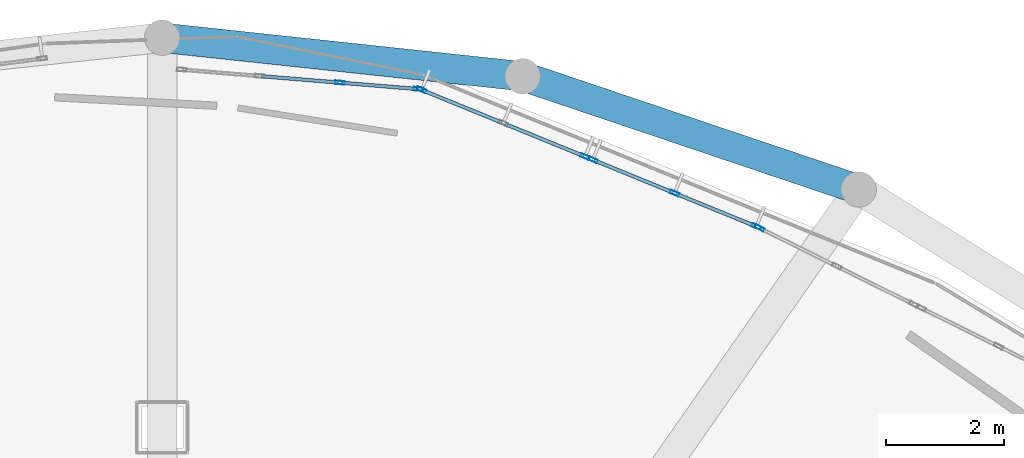
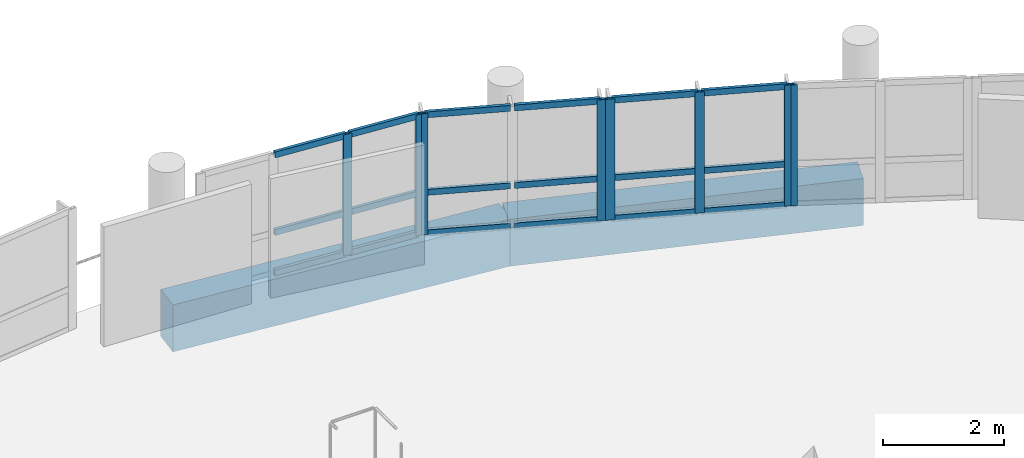
# One storey, part 22 of 43: 26 members, 2 beams, 4 elements without a shape of their own.
"""IFC4 building model written with IfcOpenShell, lengths in metres."""

import ifcopenshell
import ifcopenshell.guid

model = None  # the IFC model being written
_history = None  # IfcOwnerHistory: only IFC2X3 demands one
_inside = {}  # id of a spatial element -> (the spatial element, [elements in it])
_under = {}  # id of a project, library or spatial element -> (it, [spatial elements below it])
_declared = {}  # id of a project -> (the project, [libraries it declares])
_typed = {}  # id of a type object -> (the type object, [elements of that type])
_made_of = {}  # id of a material, layer set ... -> (it, [elements and type objects made of it])


def new_model(schema):
    """Start an empty IFC model of exactly this schema.

    Asked for "IFC4X3", IfcOpenShell would pick the latest addendum, in which some entities
    have other attributes; the version numbers below select the first issue.
    IFC2X3 requires an IfcOwnerHistory on every rooted entity: one is made here for all.
    """
    global model, _history
    if schema == "IFC4X3":
        model = ifcopenshell.file(schema_version=(4, 3, 0, 0))
    else:
        model = ifcopenshell.file(schema=schema)
    _inside.clear()
    _under.clear()
    _declared.clear()
    _typed.clear()
    _made_of.clear()
    _history = None
    if model.schema == "IFC2X3":
        org = make("IfcOrganization", Name="unknown")
        user = make(
            "IfcPersonAndOrganization",
            ThePerson=make("IfcPerson", FamilyName="unknown"),
            TheOrganization=org,
        )
        app = make(
            "IfcApplication",
            ApplicationDeveloper=org,
            Version="unknown",
            ApplicationFullName="unknown",
            ApplicationIdentifier="unknown",
        )
        _history = make(
            "IfcOwnerHistory",
            OwningUser=user,
            OwningApplication=app,
            ChangeAction="ADDED",
            CreationDate=0,
        )
    return model


def make(cls, **values):
    """One entity of the class cls with the attributes given. An attribute that is None is left unset."""
    return model.create_entity(
        cls, **{name: value for name, value in values.items() if value is not None}
    )


def rooted(cls, **values):
    """An entity with a GlobalId (a new one), such as an element, a storey or a relation."""
    return make(cls, GlobalId=ifcopenshell.guid.new(), OwnerHistory=_history, **values)


def si_unit(unit_type, name, prefix=None):
    """IfcSIUnit, for example si_unit("LENGTHUNIT", "METRE", prefix="MILLI")."""
    return make("IfcSIUnit", UnitType=unit_type, Prefix=prefix, Name=name)


def derived_unit(unit_type, elements):
    """IfcDerivedUnit: a product of units, each with its exponent."""
    return make(
        "IfcDerivedUnit",
        Elements=[
            make("IfcDerivedUnitElement", Unit=unit, Exponent=power)
            for unit, power in elements
        ],
        UnitType=unit_type,
    )


def assignment(units):
    """IfcUnitAssignment: the units of a project."""
    return None if units is None else make("IfcUnitAssignment", Units=units)


def point(xyz):
    """IfcCartesianPoint."""
    return None if xyz is None else make("IfcCartesianPoint", Coordinates=xyz)


def direction(xyz):
    """IfcDirection."""
    return None if xyz is None else make("IfcDirection", DirectionRatios=xyz)


def frame(location, z_axis=None, x_axis=None):
    """IfcAxis2Placement3D, a coordinate frame: its origin and axes. An axis left out is left unset."""
    return make(
        "IfcAxis2Placement3D",
        Location=point(location),
        Axis=direction(z_axis),
        RefDirection=direction(x_axis),
    )


def frame_2d(location, x_axis=None):
    """IfcAxis2Placement2D, a coordinate frame in the plane: its origin and x axis."""
    return make(
        "IfcAxis2Placement2D", Location=point(location), RefDirection=direction(x_axis)
    )


def origin():
    """The frame at (0, 0, 0) with its axes left unset."""
    return frame((0.0, 0.0, 0.0))


def origin_2d():
    """The frame at (0, 0) in the plane with its x axis left unset."""
    return frame_2d((0.0, 0.0))


def place(relative_to, where):
    """IfcLocalPlacement: puts the frame where relative to a parent placement (None: the world)."""
    return make(
        "IfcLocalPlacement", PlacementRelTo=relative_to, RelativePlacement=where
    )


def context(
    kind, dimensions, precision=None, world=None, true_north=None, identifier=None
):
    """IfcGeometricRepresentationContext, for example the 3D "Model" context."""
    return make(
        "IfcGeometricRepresentationContext",
        ContextIdentifier=identifier,
        ContextType=kind,
        CoordinateSpaceDimension=dimensions,
        Precision=precision,
        WorldCoordinateSystem=world,
        TrueNorth=true_north,
    )


def subcontext(parent, identifier, kind, view, scale=None):
    """IfcGeometricRepresentationSubContext, for example "Body" below "Model"."""
    return make(
        "IfcGeometricRepresentationSubContext",
        ContextIdentifier=identifier,
        ContextType=kind,
        ParentContext=parent,
        TargetScale=scale,
        TargetView=view,
    )


def project(units=None, contexts=None):
    """IfcProject with its units and contexts."""
    return rooted(
        "IfcProject",
        Name="project",
        RepresentationContexts=contexts,
        UnitsInContext=assignment(units),
    )


def spatial(cls, under=None, at=None, **own):
    """A site, building, storey or space (cls), placed at a placement, below another one or the project."""
    s = rooted(cls, ObjectPlacement=at, **own)
    if under is not None:
        _under.setdefault(under.id(), (under, []))[1].append(s)
    return s


def profile(cls, at=None, kind="AREA", **sizes):
    """A parametric profile (cls). Its sizes go by their IFC names, for example OverallWidth=200.0."""
    return make(cls, ProfileType=kind, Position=at, **sizes)


def rectangle(**sizes):
    """IfcRectangleProfileDef."""
    return profile("IfcRectangleProfileDef", **sizes)


def hollow_rectangle(**sizes):
    """IfcRectangleHollowProfileDef."""
    return profile("IfcRectangleHollowProfileDef", **sizes)


def extrude(swept, where, along, depth):
    """IfcExtrudedAreaSolid: the profile swept, set in the frame where, extruded along a direction by depth."""
    return make(
        "IfcExtrudedAreaSolid",
        SweptArea=swept,
        Position=where,
        ExtrudedDirection=direction(along),
        Depth=depth,
    )


def shape(context_of_items, identifier, shape_type, items):
    """IfcShapeRepresentation: the items that make up one representation, for example the "Body"."""
    return make(
        "IfcShapeRepresentation",
        ContextOfItems=context_of_items,
        RepresentationIdentifier=identifier,
        RepresentationType=shape_type,
        Items=items,
    )


def material(Name=None, Category=None):
    """IfcMaterial."""
    return make("IfcMaterial", Name=Name, Category=Category)


def layer(
    of_material, thickness, ventilated=None, Name=None, Category=None, Priority=None
):
    """IfcMaterialLayer: one layer of a wall or slab, of a material (None: an air gap)."""
    return make(
        "IfcMaterialLayer",
        Material=of_material,
        LayerThickness=thickness,
        IsVentilated=ventilated,
        Name=Name,
        Category=Category,
        Priority=Priority,
    )


def layer_set(layers, Name=None):
    """IfcMaterialLayerSet."""
    return make("IfcMaterialLayerSet", MaterialLayers=layers, LayerSetName=Name)


def material_profile(
    of_material, cross_section, Name=None, Category=None, Priority=None
):
    """IfcMaterialProfile: a cross section and its material."""
    return make(
        "IfcMaterialProfile",
        Name=Name,
        Material=of_material,
        Profile=cross_section,
        Priority=Priority,
        Category=Category,
    )


def profile_set(profiles, Name=None, composite=None):
    """IfcMaterialProfileSet."""
    return make(
        "IfcMaterialProfileSet",
        Name=Name,
        MaterialProfiles=profiles,
        CompositeProfile=composite,
    )


def made_of(thing, what):
    """Note that an element or type object is made of a material, layer set ...; save() writes the relation."""
    if what is not None:
        _made_of.setdefault(what.id(), (what, []))[1].append(thing)
    return thing


def type_object(cls, material=None, **own):
    """A type object (cls), such as IfcWallType, which elements share."""
    return made_of(rooted(cls, **own), material)


def element(
    cls,
    number,
    at=None,
    inside=None,
    cuts=None,
    type_object=None,
    material=None,
    context=None,
    identifier="Body",
    shape_type=None,
    held_by="IfcProductDefinitionShape",
    body=None,
    shapes=None,
    **own,
):
    """One element of the class cls, such as IfcWall. Its Tag is "e" and its number.

    at: its placement. inside: the storey or other place that contains it. cuts: it is an
    opening in that element (IfcRelVoidsElement). A single representation is given by context,
    identifier, shape_type and body (its items); several are given by shapes. held_by: the class
    of the entity that holds the representations. save() writes the other relations.
    """
    e = rooted(cls, Tag="e%d" % number, ObjectPlacement=at, **own)
    if body is not None:
        shapes = [shape(context, identifier, shape_type, body)]
    if shapes is not None:
        e.Representation = make(held_by, Representations=shapes)
    if inside is not None:
        _inside.setdefault(inside.id(), (inside, []))[1].append(e)
    if cuts is not None:
        rooted(
            "IfcRelVoidsElement", RelatingBuildingElement=cuts, RelatedOpeningElement=e
        )
    if type_object is not None:
        _typed.setdefault(type_object.id(), (type_object, []))[1].append(e)
    return made_of(e, material)


def aggregate(whole, parts):
    """IfcRelAggregates: a whole, such as a stair, and the parts it consists of."""
    return rooted("IfcRelAggregates", RelatingObject=whole, RelatedObjects=parts)


def save(model, path):
    """Write the relations noted so far, then the file.

    IfcRelAggregates (storeys below a building ...), IfcRelContainedInSpatialStructure (elements
    in a storey), IfcRelDefinesByType, IfcRelAssociatesMaterial and IfcRelDeclares: one each for
    every whole, place, type object, material and project.
    """
    for whole, parts in _under.values():
        aggregate(whole, parts)
    for where, things in _inside.values():
        rooted(
            "IfcRelContainedInSpatialStructure",
            RelatedElements=things,
            RelatingStructure=where,
        )
    for kind, things in _typed.values():
        rooted("IfcRelDefinesByType", RelatedObjects=things, RelatingType=kind)
    for what, things in _made_of.values():
        rooted("IfcRelAssociatesMaterial", RelatedObjects=things, RelatingMaterial=what)
    for by, libraries in _declared.values():
        rooted("IfcRelDeclares", RelatingContext=by, RelatedDefinitions=libraries)
    model.write(path)


model = new_model("IFC4")

# Units and contexts
model_context = context("Model", 3, precision=1e-05, world=origin(), true_north=direction((0.0, 1.0)))
body_context = subcontext(model_context, "Body", "Model", "MODEL_VIEW")
ifc_project = project(units=[si_unit("LENGTHUNIT", "METRE"), si_unit("AREAUNIT", "SQUARE_METRE"), si_unit("VOLUMEUNIT", "CUBIC_METRE"), si_unit("PLANEANGLEUNIT", "RADIAN"), si_unit("MASSUNIT", "GRAM", prefix="KILO"), derived_unit("THERMALTRANSMITTANCEUNIT", [(si_unit("POWERUNIT", "WATT"), 1), (si_unit("LENGTHUNIT", "METRE"), -2), (si_unit("THERMODYNAMICTEMPERATUREUNIT", "KELVIN"), -1)])], contexts=[model_context])

# Site, building, storey
site_placement = place(None, origin())
site = spatial("IfcSite", under=ifc_project, at=site_placement, CompositionType="ELEMENT")
building_placement = place(site_placement, origin())
building = spatial("IfcBuilding", under=site, at=building_placement, Name="Elbkamm Science Centre", CompositionType="ELEMENT")
storey_placement = place(building_placement, frame((0.0, 0.0, 18.300048828125)))
storey = spatial("IfcBuildingStorey", under=building, at=storey_placement, Name="L04", CompositionType="ELEMENT", Elevation=18.300048828125)

# Beams
ifc_material_1 = material(Name="Concrete C40/50", Category="concrete")
ifc_material_profile_1 = material_profile(ifc_material_1, rectangle(XDim=0.5, YDim=0.949951171875, at=origin_2d()), Name="RC 500x950")
ifc_profile_set_1 = profile_set([ifc_material_profile_1], Name="Concrete C40/50")
beam_type = type_object("IfcBeamType", Name="BM-RC-500x950", PredefinedType="BEAM", material=ifc_profile_set_1)
beam_1_placement = place(storey_placement, frame((74.800048828125, 83.827880859375, -0.755126953125), z_axis=(-0.947637651085, 0.319347588444, 0.0), x_axis=(-0.319347588444, -0.947637651085, 0.0)))
element("IfcBeam", 1, at=beam_1_placement, inside=storey, type_object=beam_type, Name="L04 Elliptical Shell Perimeter Ring Beam 05", PredefinedType="SPANDREL", context=body_context, shape_type="SweptSolid", body=[
    extrude(rectangle(XDim=0.5, YDim=0.949951171875, at=origin_2d()), origin(), (0.0, 0.0, 1.0), 6.006591796875),
])
beam_2_placement = place(storey_placement, frame((69.10791015625, 85.74609375, -0.755126953125), z_axis=(-0.994319674005, 0.106434890358, 0.0), x_axis=(-0.106434890358, -0.994319674005, 0.0)))
element("IfcBeam", 2, at=beam_2_placement, inside=storey, type_object=beam_type, Name="L04 Elliptical Shell Perimeter Ring Beam 06", PredefinedType="SPANDREL", context=body_context, shape_type="SweptSolid", body=[
    extrude(rectangle(XDim=0.5, YDim=0.949951171875, at=origin_2d()), origin(), (0.0, 0.0, 1.0), 6.142822265625),
])

# Curtain wall, member
ifc_material_2 = material(Name="Powder-coated aluminium and triple low-E glazing", Category="aluminium")
ifc_layer_1 = layer(ifc_material_2, 0.159912109375)
ifc_layer_set_1 = layer_set([ifc_layer_1], Name="Powder-coated aluminium and triple low-E glazing")
curtain_wall_type_1 = type_object("IfcCurtainWallType", Name="CW-UNIT-2980x2460", PredefinedType="USERDEFINED", material=ifc_layer_set_1)
curtain_wall_1_placement = place(storey_placement, origin())
curtain_wall_1 = element("IfcCurtainWall", 3, at=curtain_wall_1_placement, inside=storey, type_object=curtain_wall_type_1, Name="L04 Unitised Curtain Wall 079", ObjectType="UNITISED CURTAIN WALL", PredefinedType="USERDEFINED")
ifc_material_3 = material(Name="Powder-coated aluminium EN AW-6060", Category="aluminium")
ifc_material_profile_2 = material_profile(ifc_material_3, hollow_rectangle(XDim=0.06005859375, YDim=0.159912109375, WallThickness=0.00390625, at=origin_2d()), Name="ALU M60x160")
ifc_profile_set_2 = profile_set([ifc_material_profile_2], Name="Powder-coated aluminium EN AW-6060")
member_type_1 = type_object("IfcMemberType", Name="CW-MUL-60x160", PredefinedType="MULLION", material=ifc_profile_set_2)
member_1_placement = place(storey_placement, frame((73.120361328125, 83.176025390625, 0.0), z_axis=(0.0, 0.0, 1.0), x_axis=(-0.443839909102, -0.896106095888, 0.0)))
member_1 = element("IfcMember", 4, at=member_1_placement, type_object=member_type_1, Name="CW-035 mullion 3", PredefinedType="MULLION", context=body_context, shape_type="SweptSolid", body=[
    extrude(hollow_rectangle(XDim=0.06005859375, YDim=0.159912109375, WallThickness=0.00390625, at=origin_2d()), origin(), (0.0, 0.0, 1.0), 2.449951171875),
])
aggregate(curtain_wall_1, [member_1])

# Curtain wall, members
ifc_layer_2 = layer(ifc_material_2, 0.159912109375)
ifc_layer_set_2 = layer_set([ifc_layer_2], Name="Powder-coated aluminium and triple low-E glazing")
curtain_wall_type_2 = type_object("IfcCurtainWallType", Name="CW-UNIT-3060x2460", PredefinedType="USERDEFINED", material=ifc_layer_set_2)
curtain_wall_2_placement = place(storey_placement, origin())
curtain_wall_2 = element("IfcCurtainWall", 5, at=curtain_wall_2_placement, inside=storey, type_object=curtain_wall_type_2, Name="L04 Unitised Curtain Wall 080", ObjectType="UNITISED CURTAIN WALL", PredefinedType="USERDEFINED")
member_2_placement = place(storey_placement, frame((73.065673828125, 83.20068359375, 0.0), z_axis=(0.0, 0.0, 1.0), x_axis=(-0.378001302905, -0.925805063176, 0.0)))
member_2 = element("IfcMember", 6, at=member_2_placement, type_object=member_type_1, Name="CW-036 mullion 1", PredefinedType="MULLION", context=body_context, shape_type="SweptSolid", body=[
    extrude(hollow_rectangle(XDim=0.06005859375, YDim=0.159912109375, WallThickness=0.00390625, at=origin_2d()), origin(), (0.0, 0.0, 1.0), 2.449951171875),
])
member_3_placement = place(storey_placement, frame((71.680419921875, 83.766357421875, 0.0), z_axis=(0.0, 0.0, 1.0), x_axis=(-0.378001302905, -0.925805063176, 0.0)))
member_3 = element("IfcMember", 7, at=member_3_placement, type_object=member_type_1, Name="CW-036 mullion 2", PredefinedType="MULLION", context=body_context, shape_type="SweptSolid", body=[
    extrude(hollow_rectangle(XDim=0.06005859375, YDim=0.159912109375, WallThickness=0.00390625, at=origin_2d()), origin(), (0.0, 0.0, 1.0), 2.449951171875),
])
member_4_placement = place(storey_placement, frame((70.295166015625, 84.331787109375, 0.0), z_axis=(0.0, 0.0, 1.0), x_axis=(-0.378001302905, -0.925805063176, 0.0)))
member_4 = element("IfcMember", 8, at=member_4_placement, type_object=member_type_1, Name="CW-036 mullion 3", PredefinedType="MULLION", context=body_context, shape_type="SweptSolid", body=[
    extrude(hollow_rectangle(XDim=0.06005859375, YDim=0.159912109375, WallThickness=0.00390625, at=origin_2d()), origin(), (0.0, 0.0, 1.0), 2.449951171875),
])

curtain_wall_3_placement = place(storey_placement, origin())
curtain_wall_3 = element("IfcCurtainWall", 9, at=curtain_wall_3_placement, inside=storey, type_object=curtain_wall_type_2, Name="L04 Unitised Curtain Wall 081", ObjectType="UNITISED CURTAIN WALL", PredefinedType="USERDEFINED")
member_5_placement = place(storey_placement, frame((70.16552734375, 84.384765625, 0.0), z_axis=(0.0, 0.0, 1.0), x_axis=(-0.378001302905, -0.925805063176, 0.0)))
member_5 = element("IfcMember", 10, at=member_5_placement, type_object=member_type_1, Name="CW-036 mullion 1", PredefinedType="MULLION", context=body_context, shape_type="SweptSolid", body=[
    extrude(hollow_rectangle(XDim=0.06005859375, YDim=0.159912109375, WallThickness=0.00390625, at=origin_2d()), origin(), (0.0, 0.0, 1.0), 2.449951171875),
])
member_6_placement = place(storey_placement, frame((67.395263671875, 85.515869140625, 0.0), z_axis=(0.0, 0.0, 1.0), x_axis=(-0.378001302905, -0.925805063176, 0.0)))
member_6 = element("IfcMember", 11, at=member_6_placement, type_object=member_type_1, Name="CW-036 mullion 3", PredefinedType="MULLION", context=body_context, shape_type="SweptSolid", body=[
    extrude(hollow_rectangle(XDim=0.06005859375, YDim=0.159912109375, WallThickness=0.00390625, at=origin_2d()), origin(), (0.0, 0.0, 1.0), 2.449951171875),
])

ifc_layer_3 = layer(ifc_material_2, 0.159912109375)
ifc_layer_set_3 = layer_set([ifc_layer_3], Name="Powder-coated aluminium and triple low-E glazing")
curtain_wall_type_3 = type_object("IfcCurtainWallType", Name="CW-UNIT-4080x2460", PredefinedType="USERDEFINED", material=ifc_layer_set_3)
curtain_wall_4_placement = place(storey_placement, origin())
curtain_wall_4 = element("IfcCurtainWall", 12, at=curtain_wall_4_placement, inside=storey, type_object=curtain_wall_type_3, Name="L04 Unitised Curtain Wall 082", ObjectType="UNITISED CURTAIN WALL", PredefinedType="USERDEFINED")
member_7_placement = place(storey_placement, frame((67.337646484375, 85.52978515625, 0.0), z_axis=(0.0, 0.0, 1.0), x_axis=(-0.081806179051, -0.996648257445, 0.0)))
member_7 = element("IfcMember", 13, at=member_7_placement, type_object=member_type_1, Name="CW-037 mullion 1", PredefinedType="MULLION", context=body_context, shape_type="SweptSolid", body=[
    extrude(hollow_rectangle(XDim=0.06005859375, YDim=0.159912109375, WallThickness=0.00390625, at=origin_2d()), origin(), (0.0, 0.0, 1.0), 2.449951171875),
])
member_8_placement = place(storey_placement, frame((66.011962890625, 85.638671875, 0.0), z_axis=(0.0, 0.0, 1.0), x_axis=(-0.081806179051, -0.996648257445, 0.0)))
member_8 = element("IfcMember", 14, at=member_8_placement, type_object=member_type_1, Name="CW-037 mullion 2", PredefinedType="MULLION", context=body_context, shape_type="SweptSolid", body=[
    extrude(hollow_rectangle(XDim=0.06005859375, YDim=0.159912109375, WallThickness=0.00390625, at=origin_2d()), origin(), (0.0, 0.0, 1.0), 2.449951171875),
])

# Member
ifc_material_profile_3 = material_profile(ifc_material_3, hollow_rectangle(XDim=0.06005859375, YDim=0.1201171875, WallThickness=0.00341796875, at=origin_2d()), Name="ALU T60x120")
ifc_profile_set_3 = profile_set([ifc_material_profile_3], Name="Powder-coated aluminium EN AW-6060")
member_type_2 = type_object("IfcMemberType", Name="CW-TRN-60x120", PredefinedType="USERDEFINED", material=ifc_profile_set_3)
member_9_placement = place(storey_placement, frame((73.037841796875, 83.212158203125, 0.030029296875), z_axis=(-0.92583914632, 0.377917815327, 0.0), x_axis=(-0.377917815327, -0.92583914632, 0.0)))
member_9 = element("IfcMember", 15, at=member_9_placement, type_object=member_type_2, Name="CW-036 transom 1.1", ObjectType="TRANSOM", PredefinedType="USERDEFINED", context=body_context, shape_type="SweptSolid", body=[
    extrude(hollow_rectangle(XDim=0.06005859375, YDim=0.1201171875, WallThickness=0.00341796875, at=origin_2d()), origin(), (0.0, 0.0, 1.0), 1.43603515625),
])

member_10_placement = place(storey_placement, frame((73.037841796875, 83.212158203125, 0.849853515625), z_axis=(-0.92583914632, 0.377917815327, 0.0), x_axis=(-0.377917815327, -0.92583914632, 0.0)))
member_10 = element("IfcMember", 16, at=member_10_placement, type_object=member_type_2, Name="CW-036 transom 1.2", ObjectType="TRANSOM", PredefinedType="USERDEFINED", context=body_context, shape_type="SweptSolid", body=[
    extrude(hollow_rectangle(XDim=0.06005859375, YDim=0.1201171875, WallThickness=0.00341796875, at=origin_2d()), origin(), (0.0, 0.0, 1.0), 1.43603515625),
])

member_11_placement = place(storey_placement, frame((73.037841796875, 83.212158203125, 2.419921875), z_axis=(-0.92583914632, 0.377917815327, 0.0), x_axis=(-0.377917815327, -0.92583914632, 0.0)))
member_11 = element("IfcMember", 17, at=member_11_placement, type_object=member_type_2, Name="CW-036 transom 1.3", ObjectType="TRANSOM", PredefinedType="USERDEFINED", context=body_context, shape_type="SweptSolid", body=[
    extrude(hollow_rectangle(XDim=0.06005859375, YDim=0.1201171875, WallThickness=0.00341796875, at=origin_2d()), origin(), (0.0, 0.0, 1.0), 1.43603515625),
])

member_12_placement = place(storey_placement, frame((71.652587890625, 83.777587890625, 0.030029296875), z_axis=(-0.925779655957, 0.378063524577, 0.0), x_axis=(-0.378063524577, -0.925779655957, 0.0)))
member_12 = element("IfcMember", 18, at=member_12_placement, type_object=member_type_2, Name="CW-036 transom 2.1", ObjectType="TRANSOM", PredefinedType="USERDEFINED", context=body_context, shape_type="SweptSolid", body=[
    extrude(hollow_rectangle(XDim=0.06005859375, YDim=0.1201171875, WallThickness=0.00341796875, at=origin_2d()), origin(), (0.0, 0.0, 1.0), 1.436279296875),
])

member_13_placement = place(storey_placement, frame((71.652587890625, 83.777587890625, 0.849853515625), z_axis=(-0.925779655957, 0.378063524577, 0.0), x_axis=(-0.378063524577, -0.925779655957, 0.0)))
member_13 = element("IfcMember", 19, at=member_13_placement, type_object=member_type_2, Name="CW-036 transom 2.2", ObjectType="TRANSOM", PredefinedType="USERDEFINED", context=body_context, shape_type="SweptSolid", body=[
    extrude(hollow_rectangle(XDim=0.06005859375, YDim=0.1201171875, WallThickness=0.00341796875, at=origin_2d()), origin(), (0.0, 0.0, 1.0), 1.436279296875),
])

member_14_placement = place(storey_placement, frame((71.652587890625, 83.777587890625, 2.419921875), z_axis=(-0.925779655957, 0.378063524577, 0.0), x_axis=(-0.378063524577, -0.925779655957, 0.0)))
member_14 = element("IfcMember", 20, at=member_14_placement, type_object=member_type_2, Name="CW-036 transom 2.3", ObjectType="TRANSOM", PredefinedType="USERDEFINED", context=body_context, shape_type="SweptSolid", body=[
    extrude(hollow_rectangle(XDim=0.06005859375, YDim=0.1201171875, WallThickness=0.00341796875, at=origin_2d()), origin(), (0.0, 0.0, 1.0), 1.436279296875),
])

aggregate(curtain_wall_2, [member_2, member_3, member_4, member_9, member_10, member_11, member_12, member_13, member_14])

member_15_placement = place(storey_placement, frame((70.137939453125, 84.396240234375, 0.030029296875), z_axis=(-0.92586342081, 0.37785834119, 0.0), x_axis=(-0.37785834119, -0.92586342081, 0.0)))
member_15 = element("IfcMember", 21, at=member_15_placement, type_object=member_type_2, Name="CW-036 transom 1.1", ObjectType="TRANSOM", PredefinedType="USERDEFINED", context=body_context, shape_type="SweptSolid", body=[
    extrude(hollow_rectangle(XDim=0.06005859375, YDim=0.1201171875, WallThickness=0.00341796875, at=origin_2d()), origin(), (0.0, 0.0, 1.0), 1.436279296875),
])

member_16_placement = place(storey_placement, frame((70.137939453125, 84.396240234375, 0.849853515625), z_axis=(-0.92586342081, 0.37785834119, 0.0), x_axis=(-0.37785834119, -0.92586342081, 0.0)))
member_16 = element("IfcMember", 22, at=member_16_placement, type_object=member_type_2, Name="CW-036 transom 1.2", ObjectType="TRANSOM", PredefinedType="USERDEFINED", context=body_context, shape_type="SweptSolid", body=[
    extrude(hollow_rectangle(XDim=0.06005859375, YDim=0.1201171875, WallThickness=0.00341796875, at=origin_2d()), origin(), (0.0, 0.0, 1.0), 1.436279296875),
])

member_17_placement = place(storey_placement, frame((70.137939453125, 84.396240234375, 2.419921875), z_axis=(-0.92586342081, 0.37785834119, 0.0), x_axis=(-0.37785834119, -0.92586342081, 0.0)))
member_17 = element("IfcMember", 23, at=member_17_placement, type_object=member_type_2, Name="CW-036 transom 1.3", ObjectType="TRANSOM", PredefinedType="USERDEFINED", context=body_context, shape_type="SweptSolid", body=[
    extrude(hollow_rectangle(XDim=0.06005859375, YDim=0.1201171875, WallThickness=0.00341796875, at=origin_2d()), origin(), (0.0, 0.0, 1.0), 1.436279296875),
])

member_18_placement = place(storey_placement, frame((68.752685546875, 84.961669921875, 0.030029296875), z_axis=(-0.925779655957, 0.378063524577, 0.0), x_axis=(-0.378063524577, -0.925779655957, 0.0)))
member_18 = element("IfcMember", 24, at=member_18_placement, type_object=member_type_2, Name="CW-036 transom 2.1", ObjectType="TRANSOM", PredefinedType="USERDEFINED", context=body_context, shape_type="SweptSolid", body=[
    extrude(hollow_rectangle(XDim=0.06005859375, YDim=0.1201171875, WallThickness=0.00341796875, at=origin_2d()), origin(), (0.0, 0.0, 1.0), 1.436279296875),
])

member_19_placement = place(storey_placement, frame((68.752685546875, 84.961669921875, 0.849853515625), z_axis=(-0.925779655957, 0.378063524577, 0.0), x_axis=(-0.378063524577, -0.925779655957, 0.0)))
member_19 = element("IfcMember", 25, at=member_19_placement, type_object=member_type_2, Name="CW-036 transom 2.2", ObjectType="TRANSOM", PredefinedType="USERDEFINED", context=body_context, shape_type="SweptSolid", body=[
    extrude(hollow_rectangle(XDim=0.06005859375, YDim=0.1201171875, WallThickness=0.00341796875, at=origin_2d()), origin(), (0.0, 0.0, 1.0), 1.436279296875),
])

member_20_placement = place(storey_placement, frame((68.752685546875, 84.961669921875, 2.419921875), z_axis=(-0.925779655957, 0.378063524577, 0.0), x_axis=(-0.378063524577, -0.925779655957, 0.0)))
member_20 = element("IfcMember", 26, at=member_20_placement, type_object=member_type_2, Name="CW-036 transom 2.3", ObjectType="TRANSOM", PredefinedType="USERDEFINED", context=body_context, shape_type="SweptSolid", body=[
    extrude(hollow_rectangle(XDim=0.06005859375, YDim=0.1201171875, WallThickness=0.00341796875, at=origin_2d()), origin(), (0.0, 0.0, 1.0), 1.436279296875),
])

aggregate(curtain_wall_3, [member_5, member_6, member_15, member_16, member_17, member_18, member_19, member_20])

member_21_placement = place(storey_placement, frame((67.3076171875, 85.5322265625, 0.030029296875), z_axis=(-0.996641852652, 0.0818841715, 0.0), x_axis=(-0.0818841715, -0.996641852652, 0.0)))
member_21 = element("IfcMember", 27, at=member_21_placement, type_object=member_type_2, Name="CW-037 transom 1.1", ObjectType="TRANSOM", PredefinedType="USERDEFINED", context=body_context, shape_type="SweptSolid", body=[
    extrude(hollow_rectangle(XDim=0.06005859375, YDim=0.1201171875, WallThickness=0.00341796875, at=origin_2d()), origin(), (0.0, 0.0, 1.0), 1.27001953125),
])

member_22_placement = place(storey_placement, frame((67.3076171875, 85.5322265625, 0.849853515625), z_axis=(-0.996641852652, 0.0818841715, 0.0), x_axis=(-0.0818841715, -0.996641852652, 0.0)))
member_22 = element("IfcMember", 28, at=member_22_placement, type_object=member_type_2, Name="CW-037 transom 1.2", ObjectType="TRANSOM", PredefinedType="USERDEFINED", context=body_context, shape_type="SweptSolid", body=[
    extrude(hollow_rectangle(XDim=0.06005859375, YDim=0.1201171875, WallThickness=0.00341796875, at=origin_2d()), origin(), (0.0, 0.0, 1.0), 1.27001953125),
])

member_23_placement = place(storey_placement, frame((67.3076171875, 85.5322265625, 2.419921875), z_axis=(-0.996641852652, 0.0818841715, 0.0), x_axis=(-0.0818841715, -0.996641852652, 0.0)))
member_23 = element("IfcMember", 29, at=member_23_placement, type_object=member_type_2, Name="CW-037 transom 1.3", ObjectType="TRANSOM", PredefinedType="USERDEFINED", context=body_context, shape_type="SweptSolid", body=[
    extrude(hollow_rectangle(XDim=0.06005859375, YDim=0.1201171875, WallThickness=0.00341796875, at=origin_2d()), origin(), (0.0, 0.0, 1.0), 1.27001953125),
])

member_24_placement = place(storey_placement, frame((65.98193359375, 85.64111328125, 0.030029296875), z_axis=(-0.996657521232, 0.081693239445, 0.0), x_axis=(-0.081693239445, -0.996657521232, 0.0)))
member_24 = element("IfcMember", 30, at=member_24_placement, type_object=member_type_2, Name="CW-037 transom 2.1", ObjectType="TRANSOM", PredefinedType="USERDEFINED", context=body_context, shape_type="SweptSolid", body=[
    extrude(hollow_rectangle(XDim=0.06005859375, YDim=0.1201171875, WallThickness=0.00341796875, at=origin_2d()), origin(), (0.0, 0.0, 1.0), 1.300048828125),
])

member_25_placement = place(storey_placement, frame((65.98193359375, 85.64111328125, 0.849853515625), z_axis=(-0.996657521232, 0.081693239445, 0.0), x_axis=(-0.081693239445, -0.996657521232, 0.0)))
member_25 = element("IfcMember", 31, at=member_25_placement, type_object=member_type_2, Name="CW-037 transom 2.2", ObjectType="TRANSOM", PredefinedType="USERDEFINED", context=body_context, shape_type="SweptSolid", body=[
    extrude(hollow_rectangle(XDim=0.06005859375, YDim=0.1201171875, WallThickness=0.00341796875, at=origin_2d()), origin(), (0.0, 0.0, 1.0), 1.300048828125),
])

member_26_placement = place(storey_placement, frame((65.98193359375, 85.64111328125, 2.419921875), z_axis=(-0.996657521232, 0.081693239445, 0.0), x_axis=(-0.081693239445, -0.996657521232, 0.0)))
member_26 = element("IfcMember", 32, at=member_26_placement, type_object=member_type_2, Name="CW-037 transom 2.3", ObjectType="TRANSOM", PredefinedType="USERDEFINED", context=body_context, shape_type="SweptSolid", body=[
    extrude(hollow_rectangle(XDim=0.06005859375, YDim=0.1201171875, WallThickness=0.00341796875, at=origin_2d()), origin(), (0.0, 0.0, 1.0), 1.300048828125),
])

aggregate(curtain_wall_4, [member_7, member_8, member_21, member_22, member_23, member_24, member_25, member_26])

save(model, "model.ifc")
